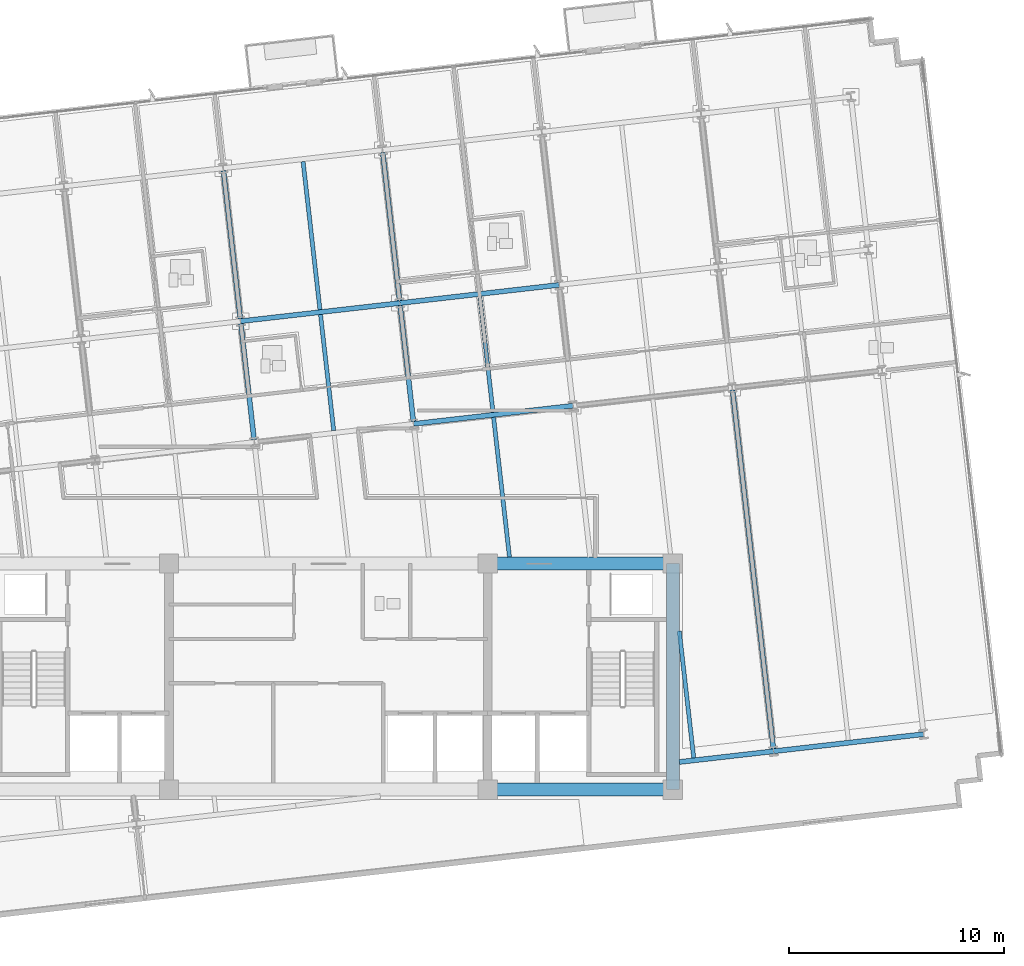
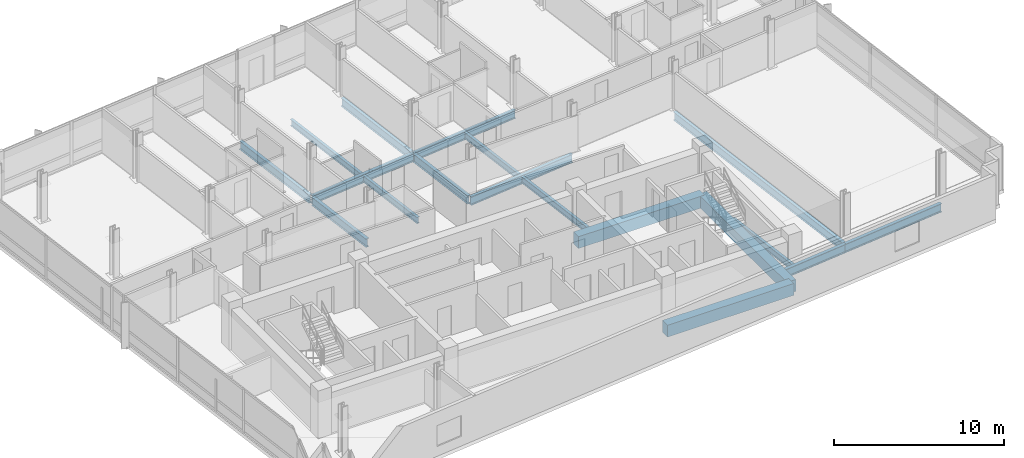
# One storey, part 3 of 16: 18 beams.
"""IFC4 building model written with IfcOpenShell, lengths in metres."""

from ifc_helpers import new_model, si_unit, direction, frame, origin, origin_2d, place, context, subcontext, project, spatial, rectangle, i_section, extrude, material, material_profile, profile_set, type_object, element, save


model = new_model("IFC4")

# Units and contexts
model_context = context("Model", 3, precision=1e-05, world=origin(), true_north=direction((0.0, 1.0)))
body_context = subcontext(model_context, "Body", "Model", "MODEL_VIEW")
ifc_project = project(units=[si_unit("LENGTHUNIT", "METRE"), si_unit("AREAUNIT", "SQUARE_METRE"), si_unit("VOLUMEUNIT", "CUBIC_METRE"), si_unit("PLANEANGLEUNIT", "RADIAN"), si_unit("MASSUNIT", "GRAM", prefix="KILO")], contexts=[model_context])

# Site, building, storey
site_placement = place(None, origin())
site = spatial("IfcSite", under=ifc_project, at=site_placement, CompositionType="ELEMENT")
building_placement = place(site_placement, origin())
building = spatial("IfcBuilding", under=site, at=building_placement, Name="Solmavex Isthmus Hotel", CompositionType="ELEMENT")
storey_placement = place(building_placement, frame((0.0, 0.0, 205.5)))
storey = spatial("IfcBuildingStorey", under=building, at=storey_placement, Name="L55", CompositionType="ELEMENT", Elevation=205.5)

# Beams
ifc_material_1 = material(Name="Steel ASTM A992 Grade 50", Category="steel")
ifc_material_profile_1 = material_profile(ifc_material_1, i_section(OverallWidth=0.1904296875, OverallDepth=0.456787109375, WebThickness=0.009033203125, FlangeThickness=0.014404296875, FilletRadius=0.0126953125, at=origin_2d()), Name="W18X50")
ifc_profile_set_1 = profile_set([ifc_material_profile_1], Name="Steel ASTM A992 Grade 50")
beam_type_1 = type_object("IfcBeamType", Name="BM-BJ-W18X50", PredefinedType="JOIST", material=ifc_profile_set_1)
beam_1_placement = place(storey_placement, frame((0.250244140625, 3.67822265625, -0.488525390625), z_axis=(-0.113194691868, 0.993572826587, 0.0), x_axis=(-0.993572826587, -0.113194691868, 0.0)))
element("IfcBeam", 1, at=beam_1_placement, inside=storey, type_object=beam_type_1, Name="Secondary Floor Joist L55-J10", PredefinedType="JOIST", context=body_context, shape_type="SweptSolid", body=[
    extrude(i_section(OverallWidth=0.1904296875, OverallDepth=0.456787109375, WebThickness=0.009033203125, FlangeThickness=0.014404296875, FilletRadius=0.0126953125, at=origin_2d()), origin(), (0.0, 0.0, 1.0), 5.420166015625),
])
beam_2_placement = place(storey_placement, frame((-0.38916015625, 9.289794921875, -0.488525390625), z_axis=(-0.113202453846, 0.993571942258, 0.0), x_axis=(-0.993571942258, -0.113202453846, 0.0)))
element("IfcBeam", 2, at=beam_2_placement, inside=storey, type_object=beam_type_1, Name="Secondary Floor Joist L55-J11", PredefinedType="JOIST", context=body_context, shape_type="SweptSolid", body=[
    extrude(i_section(OverallWidth=0.1904296875, OverallDepth=0.456787109375, WebThickness=0.009033203125, FlangeThickness=0.014404296875, FilletRadius=0.0126953125, at=origin_2d()), origin(), (0.0, 0.0, 1.0), 6.9228515625),
])
beam_3_placement = place(storey_placement, frame((8.414306640625, -2.199951171875, -0.488525390625), z_axis=(-0.113206345873, 0.993571498813, 0.0), x_axis=(-0.993571498813, -0.113206345873, 0.0)))
element("IfcBeam", 3, at=beam_3_placement, inside=storey, type_object=beam_type_1, Name="Secondary Floor Joist L55-J12", PredefinedType="JOIST", context=body_context, shape_type="SweptSolid", body=[
    extrude(i_section(OverallWidth=0.1904296875, OverallDepth=0.456787109375, WebThickness=0.009033203125, FlangeThickness=0.014404296875, FilletRadius=0.0126953125, at=origin_2d()), origin(), (0.0, 0.0, 1.0), 6.53662109375),
])
beam_4_placement = place(storey_placement, frame((7.6484375, 4.521240234375, -0.488525390625), z_axis=(-0.113194691868, 0.993572826587, 0.0), x_axis=(-0.993572826587, -0.113194691868, 0.0)))
element("IfcBeam", 4, at=beam_4_placement, inside=storey, type_object=beam_type_1, Name="Secondary Floor Joist L55-J13", PredefinedType="JOIST", context=body_context, shape_type="SweptSolid", body=[
    extrude(i_section(OverallWidth=0.1904296875, OverallDepth=0.456787109375, WebThickness=0.009033203125, FlangeThickness=0.014404296875, FilletRadius=0.0126953125, at=origin_2d()), origin(), (0.0, 0.0, 1.0), 5.420166015625),
])
beam_5_placement = place(storey_placement, frame((16.970947265625, -11.525390625, -0.488525390625), z_axis=(-0.113202687678, 0.993571915617, 0.0), x_axis=(-0.993571915617, -0.113202687678, 0.0)))
element("IfcBeam", 5, at=beam_5_placement, inside=storey, type_object=beam_type_1, Name="Secondary Floor Joist L55-J15", PredefinedType="JOIST", context=body_context, shape_type="SweptSolid", body=[
    extrude(i_section(OverallWidth=0.1904296875, OverallDepth=0.456787109375, WebThickness=0.009033203125, FlangeThickness=0.014404296875, FilletRadius=0.0126953125, at=origin_2d()), origin(), (0.0, 0.0, 1.0), 5.926513671875),
])
ifc_material_profile_2 = material_profile(ifc_material_1, i_section(OverallWidth=0.227783203125, OverallDepth=0.602783203125, WebThickness=0.010498046875, FlangeThickness=0.014892578125, FilletRadius=0.01513671875, at=origin_2d()), Name="W24X68")
ifc_profile_set_2 = profile_set([ifc_material_profile_2], Name="Steel ASTM A992 Grade 50")
beam_type_2 = type_object("IfcBeamType", Name="BM-BM-W24X68", PredefinedType="BEAM", material=ifc_profile_set_2)
for number, where, z_axis, x_axis, name in (
    (6, (3.962158203125, 3.986572265625, -0.561279296875), (0.993574034044, 0.113184092846, 0.0), (-0.113184092846, 0.993574034044, 0.0), "Floor Girder L55-UG09"),
    (7, (-4.0751953125, 8.75537109375, -0.561279296875), (0.993574034044, 0.113184092846, 0.0), (-0.113184092846, 0.993574034044, 0.0), "Floor Girder L55-UG14"),
):
    element("IfcBeam", number, at=place(storey_placement, frame(where, z_axis=z_axis, x_axis=x_axis)), inside=storey, type_object=beam_type_2, Name=name, PredefinedType="BEAM", context=body_context, shape_type="SweptSolid", body=[
        extrude(i_section(OverallWidth=0.227783203125, OverallDepth=0.602783203125, WebThickness=0.010498046875, FlangeThickness=0.014892578125, FilletRadius=0.01513671875, at=origin_2d()), origin(), (0.0, 0.0, 1.0), 7.446044921875),
    ])
beam_6_placement = place(storey_placement, frame((3.322998046875, 9.59814453125, -0.561279296875), z_axis=(0.993569926006, 0.113220148984, 0.0), x_axis=(-0.113220148984, 0.993569926006, 0.0)))
element("IfcBeam", 8, at=beam_6_placement, inside=storey, type_object=beam_type_2, Name="Floor Girder L55-UG15", PredefinedType="BEAM", context=body_context, shape_type="SweptSolid", body=[
    extrude(i_section(OverallWidth=0.227783203125, OverallDepth=0.602783203125, WebThickness=0.010498046875, FlangeThickness=0.014892578125, FilletRadius=0.01513671875, at=origin_2d()), origin(), (0.0, 0.0, 1.0), 7.44580078125),
])
beam_7_placement = place(storey_placement, frame((-3.44873046875, 3.2568359375, -0.561279296875), z_axis=(-0.113194691868, 0.993572826587, 0.0), x_axis=(-0.993572826587, -0.113194691868, 0.0)))
element("IfcBeam", 9, at=beam_7_placement, inside=storey, type_object=beam_type_2, Name="Floor Beam L55-VG32", PredefinedType="BEAM", context=body_context, shape_type="SweptSolid", body=[
    extrude(i_section(OverallWidth=0.227783203125, OverallDepth=0.602783203125, WebThickness=0.010498046875, FlangeThickness=0.014892578125, FilletRadius=0.01513671875, at=origin_2d()), origin(), (0.0, 0.0, 1.0), 5.420166015625),
])
beam_8_placement = place(storey_placement, frame((-4.088134765625, 8.868408203125, -0.561279296875), z_axis=(-0.113202453846, 0.993571942258, 0.0), x_axis=(-0.993571942258, -0.113202453846, 0.0)))
element("IfcBeam", 10, at=beam_8_placement, inside=storey, type_object=beam_type_2, Name="Floor Beam L55-VG33", PredefinedType="BEAM", context=body_context, shape_type="SweptSolid", body=[
    extrude(i_section(OverallWidth=0.227783203125, OverallDepth=0.602783203125, WebThickness=0.010498046875, FlangeThickness=0.014892578125, FilletRadius=0.01513671875, at=origin_2d()), origin(), (0.0, 0.0, 1.0), 6.9228515625),
])
beam_9_placement = place(storey_placement, frame((3.949462890625, 4.099609375, -0.561279296875), z_axis=(-0.113234090386, 0.993568337244, 0.0), x_axis=(-0.993568337244, -0.113234090386, 0.0)))
element("IfcBeam", 11, at=beam_9_placement, inside=storey, type_object=beam_type_2, Name="Floor Beam L55-VG35", PredefinedType="BEAM", context=body_context, shape_type="SweptSolid", body=[
    extrude(i_section(OverallWidth=0.227783203125, OverallDepth=0.602783203125, WebThickness=0.010498046875, FlangeThickness=0.014892578125, FilletRadius=0.01513671875, at=origin_2d()), origin(), (0.0, 0.0, 1.0), 5.42041015625),
])
beam_10_placement = place(storey_placement, frame((3.31005859375, 9.71142578125, -0.561279296875), z_axis=(-0.113202453846, 0.993571942258, 0.0), x_axis=(-0.993571942258, -0.113202453846, 0.0)))
element("IfcBeam", 12, at=beam_10_placement, inside=storey, type_object=beam_type_2, Name="Floor Beam L55-VG36", PredefinedType="BEAM", context=body_context, shape_type="SweptSolid", body=[
    extrude(i_section(OverallWidth=0.227783203125, OverallDepth=0.602783203125, WebThickness=0.010498046875, FlangeThickness=0.014892578125, FilletRadius=0.01513671875, at=origin_2d()), origin(), (0.0, 0.0, 1.0), 6.9228515625),
])
beam_11_placement = place(storey_placement, frame((20.669921875, -11.10400390625, -0.561279296875), z_axis=(-0.113198426291, 0.993572401129, 0.0), x_axis=(-0.993572401129, -0.113198426291, 0.0)))
element("IfcBeam", 13, at=beam_11_placement, inside=storey, type_object=beam_type_2, Name="Floor Beam L55-VG40", PredefinedType="BEAM", context=body_context, shape_type="SweptSolid", body=[
    extrude(i_section(OverallWidth=0.227783203125, OverallDepth=0.602783203125, WebThickness=0.010498046875, FlangeThickness=0.014892578125, FilletRadius=0.01513671875, at=origin_2d()), origin(), (0.0, 0.0, 1.0), 16.77099609375),
])
ifc_material_2 = material(Name="Concrete C50/60", Category="concrete")
ifc_material_profile_3 = material_profile(ifc_material_2, rectangle(XDim=0.60009765625, YDim=0.85009765625, at=origin_2d()), Name="RC600X850")
ifc_profile_set_3 = profile_set([ifc_material_profile_3], Name="Concrete C50/60")
beam_type_3 = type_object("IfcBeamType", Name="BM-CB-600X850", PredefinedType="BEAM", material=ifc_profile_set_3)
for number, where, z_axis, x_axis, name in (
    (14, (7.39990234375, -13.0, -0.68505859375), (1.0, 0.0, 0.0), (0.0, 1.0, 0.0), "Core Coupling Beam L55-CB3"),
    (15, (7.39990234375, -2.5, -0.68505859375), (1.0, 0.0, 0.0), (0.0, 1.0, 0.0), "Core Coupling Beam L55-CB6"),
):
    element("IfcBeam", number, at=place(storey_placement, frame(where, z_axis=z_axis, x_axis=x_axis)), inside=storey, type_object=beam_type_3, Name=name, PredefinedType="BEAM", context=body_context, shape_type="SweptSolid", body=[
        extrude(rectangle(XDim=0.60009765625, YDim=0.85009765625, at=origin_2d()), origin(), (0.0, 0.0, 1.0), 8.60009765625),
    ])
beam_12_placement = place(storey_placement, frame((16.0, -13.0, -0.68505859375), z_axis=(0.0, 1.0, 0.0), x_axis=(-1.0, 0.0, 0.0)))
element("IfcBeam", 16, at=beam_12_placement, inside=storey, type_object=beam_type_3, Name="Core Coupling Beam L55-CB8", PredefinedType="BEAM", context=body_context, shape_type="SweptSolid", body=[
    extrude(rectangle(XDim=0.60009765625, YDim=0.85009765625, at=origin_2d()), origin(), (0.0, 0.0, 1.0), 10.5),
])
ifc_material_profile_4 = material_profile(ifc_material_1, i_section(OverallWidth=0.230224609375, OverallDepth=0.617431640625, WebThickness=0.01318359375, FlangeThickness=0.022216796875, FilletRadius=0.01513671875, at=origin_2d()), Name="W24X94")
ifc_profile_set_4 = profile_set([ifc_material_profile_4], Name="Steel ASTM A992 Grade 50")
beam_type_4 = type_object("IfcBeamType", Name="BM-SP-W24X94", PredefinedType="SPANDREL", material=ifc_profile_set_4)
beam_13_placement = place(storey_placement, frame((16.300048828125, -11.7177734375, -0.56884765625), z_axis=(0.993574880398, 0.113176662976, 0.0), x_axis=(-0.113176662976, 0.993574880398, 0.0)))
element("IfcBeam", 17, at=beam_13_placement, inside=storey, type_object=beam_type_4, Name="Floor Girder L55-UG04", PredefinedType="SPANDREL", context=body_context, shape_type="SweptSolid", body=[
    extrude(i_section(OverallWidth=0.230224609375, OverallDepth=0.617431640625, WebThickness=0.01318359375, FlangeThickness=0.022216796875, FilletRadius=0.01513671875, at=origin_2d()), origin(), (0.0, 0.0, 1.0), 4.411376953125),
])
beam_14_placement = place(storey_placement, frame((20.68310546875, -11.218505859375, -0.56884765625), z_axis=(0.993569675103, 0.113222350774, 0.0), x_axis=(-0.113222350774, 0.993569675103, 0.0)))
element("IfcBeam", 18, at=beam_14_placement, inside=storey, type_object=beam_type_4, Name="Floor Girder L55-UG05", PredefinedType="SPANDREL", context=body_context, shape_type="SweptSolid", body=[
    extrude(i_section(OverallWidth=0.230224609375, OverallDepth=0.617431640625, WebThickness=0.01318359375, FlangeThickness=0.022216796875, FilletRadius=0.01513671875, at=origin_2d()), origin(), (0.0, 0.0, 1.0), 7.008056640625),
])

save(model, "model.ifc")
